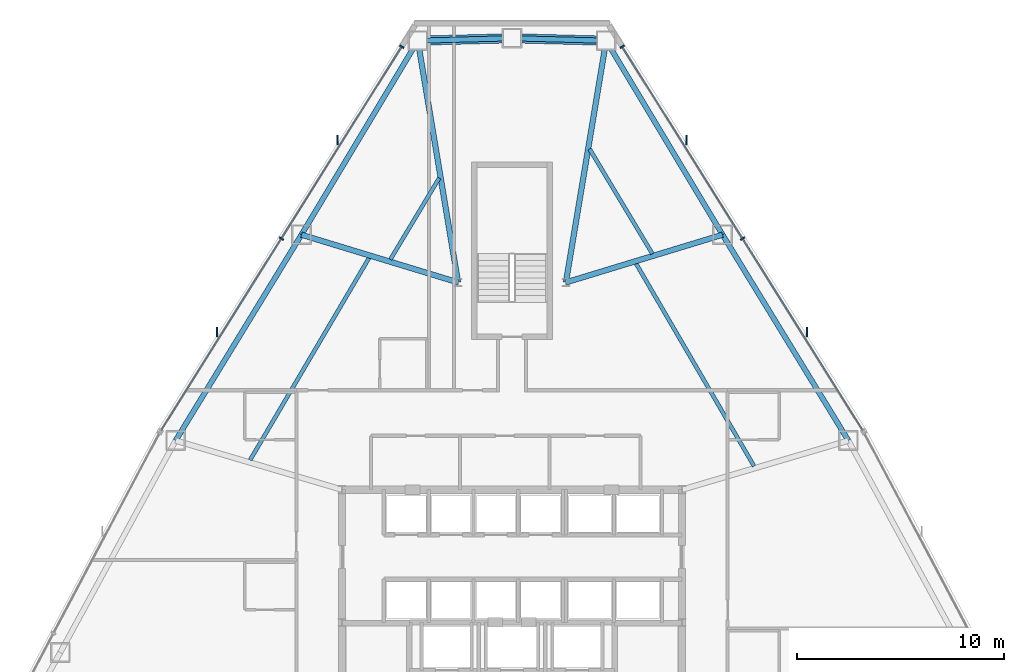
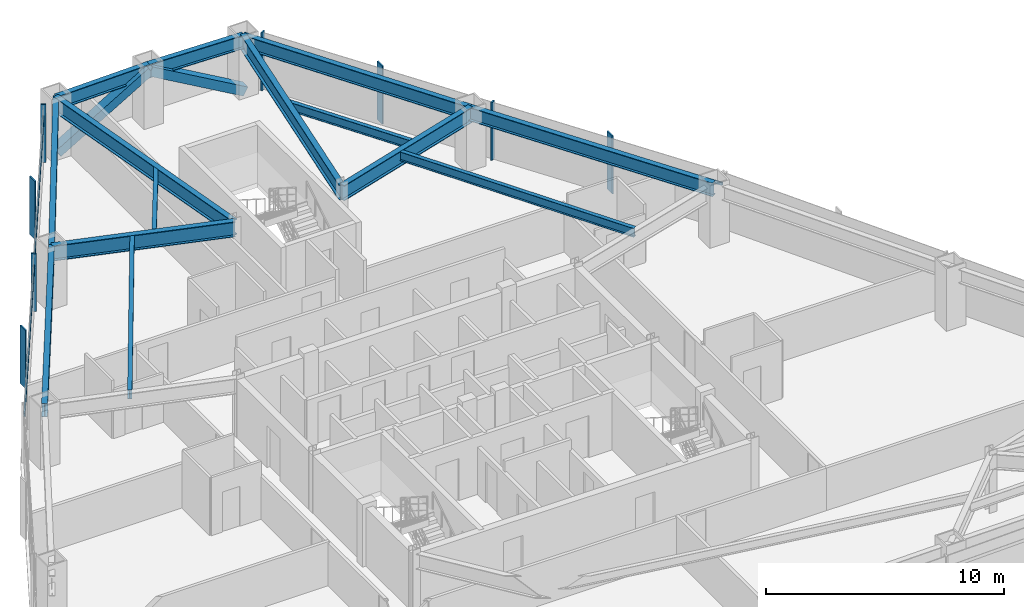
# One storey, part 7 of 13: 14 beams, 12 members, 2 elements without a shape of their own.
"""IFC4 building model written with IfcOpenShell, lengths in metres."""

from ifc_helpers import new_model, si_unit, direction, frame, origin, origin_2d, place, context, subcontext, project, spatial, rectangle, hollow_rectangle, i_section, extrude, source, transform, mapped, material, layer, layer_set, material_profile, profile_set, type_object, type_shapes, element, aggregate, save


model = new_model("IFC4")

# Units and contexts
model_context = context("Model", 3, precision=1e-05, world=origin(), true_north=direction((0.0, 1.0)))
body_context = subcontext(model_context, "Body", "Model", "MODEL_VIEW")
ifc_project = project(units=[si_unit("LENGTHUNIT", "METRE"), si_unit("AREAUNIT", "SQUARE_METRE"), si_unit("VOLUMEUNIT", "CUBIC_METRE"), si_unit("PLANEANGLEUNIT", "RADIAN"), si_unit("MASSUNIT", "GRAM", prefix="KILO")], contexts=[model_context])

# Site, building, storey
site_placement = place(None, origin())
site = spatial("IfcSite", under=ifc_project, at=site_placement, CompositionType="ELEMENT")
building_placement = place(site_placement, origin())
building = spatial("IfcBuilding", under=site, at=building_placement, Name="Varakhsha Concourse Tower", CompositionType="ELEMENT")
storey_placement = place(building_placement, frame((0.0, 0.0, 99.0)))
storey = spatial("IfcBuildingStorey", under=building, at=storey_placement, Name="L28", CompositionType="ELEMENT", Elevation=99.0)

# Beams
ifc_material_1 = material(Name="Structural Steel ASTM A992 Grade 50", Category="steel")
ifc_material_profile_1 = material_profile(ifc_material_1, i_section(OverallWidth=0.26611328125, OverallDepth=0.779052734375, WebThickness=0.01708984375, FlangeThickness=0.030029296875, at=origin_2d()), Name="W30X148")
ifc_profile_set_1 = profile_set([ifc_material_profile_1], Name="Structural Steel ASTM A992 Grade 50")
beam_type_1 = type_object("IfcBeamType", Name="BM-BASE-W30X148", PredefinedType="USERDEFINED", material=ifc_profile_set_1)
for number, where, z_axis, x_axis, name in (
    (1, (42.60009765625, 41.199951171875, 2.58056640625), (0.164241567319, 0.986420147586, 0.0), (-0.986420147586, 0.164241567319, 0.0), "L28 Radial Floor Girder 01"),
    (2, (37.39990234375, 41.199951171875, 2.58056640625), (-0.164241567319, 0.986420147586, 0.0), (-0.986420147586, -0.164241567319, 0.0), "L28 Radial Floor Girder 03"),
):
    element("IfcBeam", number, at=place(storey_placement, frame(where, z_axis=z_axis, x_axis=x_axis)), inside=storey, type_object=beam_type_1, Name=name, ObjectType="GIRDER", PredefinedType="USERDEFINED", context=body_context, shape_type="SweptSolid", body=[
        extrude(i_section(OverallWidth=0.26611328125, OverallDepth=0.779052734375, WebThickness=0.01708984375, FlangeThickness=0.030029296875, at=origin_2d()), origin(), (0.0, 0.0, 1.0), 11.8203125),
    ])
for number, where, z_axis, x_axis, name in (
    (3, (37.39990234375, 41.199951171875, 2.58056640625), (-0.956672757421, 0.291165305641, 0.0), (-0.291165305641, -0.956672757421, 0.0), "L28 Radial Floor Girder 04"),
    (4, (42.60009765625, 41.199951171875, 2.58056640625), (0.956672757421, 0.291165305641, 0.0), (-0.291165305641, 0.956672757421, 0.0), "L28 Radial Floor Girder 18"),
):
    element("IfcBeam", number, at=place(storey_placement, frame(where, z_axis=z_axis, x_axis=x_axis)), inside=storey, type_object=beam_type_1, Name=name, ObjectType="GIRDER", PredefinedType="USERDEFINED", context=body_context, shape_type="SweptSolid", body=[
        extrude(i_section(OverallWidth=0.26611328125, OverallDepth=0.779052734375, WebThickness=0.01708984375, FlangeThickness=0.030029296875, at=origin_2d()), origin(), (0.0, 0.0, 1.0), 7.898681640625),
    ])
ifc_material_profile_2 = material_profile(ifc_material_1, i_section(OverallWidth=0.19091796875, OverallDepth=0.45703125, WebThickness=0.009033203125, FlangeThickness=0.013916015625, at=origin_2d()), Name="W18X50")
ifc_profile_set_2 = profile_set([ifc_material_profile_2], Name="Structural Steel ASTM A992 Grade 50")
beam_type_2 = type_object("IfcBeamType", Name="BM-JST-W18X50", PredefinedType="JOIST", material=ifc_profile_set_2)
beam_1_placement = place(storey_placement, frame((36.489013671875, 46.236083984375, 2.741455078125), z_axis=(-0.514409574998, -0.857544628081, 0.0), x_axis=(0.857544628081, -0.514409574998, 0.0)))
element("IfcBeam", 5, at=beam_1_placement, inside=storey, type_object=beam_type_2, Name="BM-TJST-L28-03", PredefinedType="JOIST", context=body_context, shape_type="SweptSolid", body=[
    extrude(i_section(OverallWidth=0.19091796875, OverallDepth=0.45703125, WebThickness=0.009033203125, FlangeThickness=0.013916015625, at=origin_2d()), origin(), (0.0, 0.0, 1.0), 4.582763671875),
])
beam_2_placement = place(storey_placement, frame((33.112548828125, 42.39306640625, 2.741455078125), z_axis=(-0.507315554259, -0.861760365999, 0.0), x_axis=(0.861760365999, -0.507315554259, 0.0)))
element("IfcBeam", 6, at=beam_2_placement, inside=storey, type_object=beam_type_2, Name="BM-TJST-L28-04", PredefinedType="JOIST", context=body_context, shape_type="SweptSolid", body=[
    extrude(i_section(OverallWidth=0.19091796875, OverallDepth=0.45703125, WebThickness=0.009033203125, FlangeThickness=0.013916015625, at=origin_2d()), origin(), (0.0, 0.0, 1.0), 11.3388671875),
])
beam_3_placement = place(storey_placement, frame((51.677001953125, 32.33740234375, 2.741455078125), z_axis=(-0.503346513483, 0.864084652893, 0.0), x_axis=(-0.864084652893, -0.503346513483, 0.0)))
element("IfcBeam", 7, at=beam_3_placement, inside=storey, type_object=beam_type_2, Name="BM-TJST-L28-17", PredefinedType="JOIST", context=body_context, shape_type="SweptSolid", body=[
    extrude(i_section(OverallWidth=0.19091796875, OverallDepth=0.45703125, WebThickness=0.009033203125, FlangeThickness=0.013916015625, at=origin_2d()), origin(), (0.0, 0.0, 1.0), 11.31787109375),
])
beam_4_placement = place(storey_placement, frame((46.775146484375, 42.582275390625, 2.741455078125), z_axis=(-0.514428730328, 0.85753313721, 0.0), x_axis=(-0.85753313721, -0.514428730328, 0.0)))
element("IfcBeam", 8, at=beam_4_placement, inside=storey, type_object=beam_type_2, Name="BM-TJST-L28-18", PredefinedType="JOIST", context=body_context, shape_type="SweptSolid", body=[
    extrude(i_section(OverallWidth=0.19091796875, OverallDepth=0.45703125, WebThickness=0.009033203125, FlangeThickness=0.013916015625, at=origin_2d()), origin(), (0.0, 0.0, 1.0), 5.892578125),
])
ifc_material_profile_3 = material_profile(ifc_material_1, i_section(OverallWidth=0.25390625, OverallDepth=0.701904296875, WebThickness=0.014892578125, FlangeThickness=0.028076171875, at=origin_2d()), Name="W27X129")
ifc_profile_set_3 = profile_set([ifc_material_profile_3], Name="Structural Steel ASTM A992 Grade 50")
beam_type_3 = type_object("IfcBeamType", Name="BM-SPAN-W27X129", PredefinedType="SPANDREL", material=ifc_profile_set_3)
for number, where, z_axis, x_axis, name in (
    (9, (44.54150390625, 52.85986328125, 2.618896484375), (-0.999653249616, 0.026332119789, 0.0), (-0.026332119789, -0.999653249616, 0.0), "BM-SPAN-L28-01"),
    (10, (40.0, 52.9794921875, 2.618896484375), (-0.999653249616, -0.026332119789, 0.0), (0.026332119789, -0.999653249616, 0.0), "BM-SPAN-L28-02"),
):
    element("IfcBeam", number, at=place(storey_placement, frame(where, z_axis=z_axis, x_axis=x_axis)), inside=storey, type_object=beam_type_3, Name=name, PredefinedType="SPANDREL", context=body_context, shape_type="SweptSolid", body=[
        extrude(i_section(OverallWidth=0.25390625, OverallDepth=0.701904296875, WebThickness=0.014892578125, FlangeThickness=0.028076171875, at=origin_2d()), origin(), (0.0, 0.0, 1.0), 4.54296875),
    ])
beam_5_placement = place(storey_placement, frame((35.45849609375, 52.85986328125, 2.618896484375), z_axis=(-0.514423389103, -0.857536341355, 0.0), x_axis=(0.857536341355, -0.514423389103, 0.0)))
element("IfcBeam", 11, at=beam_5_placement, inside=storey, type_object=beam_type_3, Name="BM-SPAN-L28-03", PredefinedType="SPANDREL", context=body_context, shape_type="SweptSolid", body=[
    extrude(i_section(OverallWidth=0.25390625, OverallDepth=0.701904296875, WebThickness=0.014892578125, FlangeThickness=0.028076171875, at=origin_2d()), origin(), (0.0, 0.0, 1.0), 10.9150390625),
])
for number, where, z_axis, x_axis, name in (
    (12, (29.843505859375, 43.499755859375, 2.618896484375), (-0.521624773632, -0.853175008737, 0.0), (0.853175008737, -0.521624773632, 0.0), "BM-SPAN-L28-04"),
    (13, (56.22802734375, 33.569091796875, 2.618896484375), (-0.521624773632, 0.853175008737, 0.0), (-0.853175008737, -0.521624773632, 0.0), "BM-SPAN-L28-17"),
):
    element("IfcBeam", number, at=place(storey_placement, frame(where, z_axis=z_axis, x_axis=x_axis)), inside=storey, type_object=beam_type_3, Name=name, PredefinedType="SPANDREL", context=body_context, shape_type="SweptSolid", body=[
        extrude(i_section(OverallWidth=0.25390625, OverallDepth=0.701904296875, WebThickness=0.014892578125, FlangeThickness=0.028076171875, at=origin_2d()), origin(), (0.0, 0.0, 1.0), 11.6396484375),
    ])
beam_6_placement = place(storey_placement, frame((50.156494140625, 43.499755859375, 2.618896484375), z_axis=(-0.514423389103, 0.857536341355, 0.0), x_axis=(-0.857536341355, -0.514423389103, 0.0)))
element("IfcBeam", 14, at=beam_6_placement, inside=storey, type_object=beam_type_3, Name="BM-SPAN-L28-18", PredefinedType="SPANDREL", context=body_context, shape_type="SweptSolid", body=[
    extrude(i_section(OverallWidth=0.25390625, OverallDepth=0.701904296875, WebThickness=0.014892578125, FlangeThickness=0.028076171875, at=origin_2d()), origin(), (0.0, 0.0, 1.0), 10.9150390625),
])

# Members
ifc_material_2 = material(Name="Structural Steel ASTM A500 Grade C", Category="steel")
ifc_material_profile_4 = material_profile(ifc_material_2, hollow_rectangle(XDim=0.449951171875, YDim=0.449951171875, WallThickness=0.01904296875, at=origin_2d()), Name="HSS 450x450x19")
ifc_profile_set_4 = profile_set([ifc_material_profile_4], Name="Structural Steel ASTM A500 Grade C")
member_type_1 = type_object("IfcMemberType", Name="MB-TUBE-HSS450", PredefinedType="BRACE", material=ifc_profile_set_4)
shared_shape_1 = source(origin(), body_context, "Body", "SweptSolid", [
    extrude(hollow_rectangle(XDim=0.449951171875, YDim=0.449951171875, WallThickness=0.01904296875, at=origin_2d()), origin(), (0.0, 0.0, 1.0), 5.209716796875),
])
type_shapes(member_type_1, [shared_shape_1])
for number, where, z_axis, x_axis, name in (
    (15, (44.54150390625, 52.85986328125, 0.1201171875), (-0.871738420997, 0.022962682845, 0.489433182931), (-0.026332119789, -0.999653249616, 0.0), "L28 Wind-Corner Tube Brace B01"),
    (16, (35.45849609375, 52.85986328125, 0.1201171875), (0.871738420997, 0.022962682845, 0.489433182931), (-0.026332119789, 0.999653249616, 0.0), "L28 Wind-Corner Tube Brace B02"),
):
    element("IfcMember", number, at=place(storey_placement, frame(where, z_axis=z_axis, x_axis=x_axis)), inside=storey, type_object=member_type_1, Name=name, PredefinedType="BRACE", context=body_context, shape_type="MappedRepresentation", body=[
        mapped(shared_shape_1, transform((0.0, 0.0, 0.0), scale=1.0)),
    ])

# Curtain wall, members
ifc_material_3 = material(Name="Anodised Bronze Architectural Aluminium AA 6063-T6", Category="aluminium")
ifc_layer = layer(ifc_material_3, 0.199951171875, Name="CW-SYS-03")
ifc_layer_set = layer_set([ifc_layer], Name="Anodised Bronze Architectural Aluminium AA 6063-T6")
curtain_wall_type = type_object("IfcCurtainWallType", Name="CW-SYS-03", PredefinedType="NOTDEFINED", material=ifc_layer_set)
curtain_wall_1_placement = place(storey_placement, origin())
curtain_wall_1 = element("IfcCurtainWall", 17, at=curtain_wall_1_placement, inside=storey, type_object=curtain_wall_type, Name="L28 Crystal Curtain Wall F2", PredefinedType="NOTDEFINED")
ifc_material_profile_5 = material_profile(ifc_material_3, rectangle(XDim=0.074951171875, YDim=0.219970703125, at=origin_2d()), Name="CWM-220X75")
ifc_profile_set_5 = profile_set([ifc_material_profile_5], Name="Anodised Bronze Architectural Aluminium AA 6063-T6")
member_type_2 = type_object("IfcMemberType", Name="CWM-220X75", PredefinedType="MULLION", material=ifc_profile_set_5)
shared_shape_2 = source(origin(), body_context, "Body", "SweptSolid", [
    extrude(rectangle(XDim=0.074951171875, YDim=0.219970703125, at=origin_2d()), origin(), (0.0, 0.0, 1.0), 2.969970703125),
])
type_shapes(member_type_2, [shared_shape_2])
member_1_placement = place(storey_placement, frame((28.87744140625, 43.314697265625, 0.0), z_axis=(0.0, 0.0, 1.0), x_axis=(0.531209317405, 0.847240615824, 0.0)))
member_1 = element("IfcMember", 18, at=member_1_placement, type_object=member_type_2, Name="CW-L28-F2 Mullion 01", PredefinedType="MULLION", context=body_context, shape_type="MappedRepresentation", body=[
    mapped(shared_shape_2, transform((0.0, 0.0, 0.0), scale=1.0)),
])
member_2_placement = place(storey_placement, frame((34.681396484375, 52.5712890625, 0.0), z_axis=(0.0, 0.0, 1.0), x_axis=(0.531209317405, 0.847240615824, 0.0)))
member_2 = element("IfcMember", 19, at=member_2_placement, type_object=member_type_2, Name="CW-L28-F2 Mullion 02", PredefinedType="MULLION", context=body_context, shape_type="MappedRepresentation", body=[
    mapped(shared_shape_2, transform((0.0, 0.0, 0.0), scale=1.0)),
])

curtain_wall_2_placement = place(storey_placement, origin())
curtain_wall_2 = element("IfcCurtainWall", 20, at=curtain_wall_2_placement, inside=storey, type_object=curtain_wall_type, Name="L28 Crystal Curtain Wall F9", PredefinedType="NOTDEFINED")
member_3_placement = place(storey_placement, frame((45.318603515625, 52.5712890625, 0.0), z_axis=(0.0, 0.0, 1.0), x_axis=(0.531209317405, -0.847240615824, 0.0)))
member_3 = element("IfcMember", 21, at=member_3_placement, type_object=member_type_2, Name="CW-L28-F9 Mullion 00", PredefinedType="MULLION", context=body_context, shape_type="MappedRepresentation", body=[
    mapped(shared_shape_2, transform((0.0, 0.0, 0.0), scale=1.0)),
])
member_4_placement = place(storey_placement, frame((51.12255859375, 43.314697265625, 0.0), z_axis=(0.0, 0.0, 1.0), x_axis=(0.531209317405, -0.847240615824, 0.0)))
member_4 = element("IfcMember", 22, at=member_4_placement, type_object=member_type_2, Name="CW-L28-F9 Mullion 01", PredefinedType="MULLION", context=body_context, shape_type="MappedRepresentation", body=[
    mapped(shared_shape_2, transform((0.0, 0.0, 0.0), scale=1.0)),
])

# Member
ifc_material_profile_6 = material_profile(ifc_material_3, rectangle(XDim=0.06494140625, YDim=0.449951171875, at=origin_2d()), Name="FIN-BRZ-450")
ifc_profile_set_6 = profile_set([ifc_material_profile_6], Name="Anodised Bronze Architectural Aluminium AA 6063-T6")
member_type_3 = type_object("IfcMemberType", Name="FIN-BRZ-450", PredefinedType="USERDEFINED", material=ifc_profile_set_6)
shared_shape_3 = source(origin(), body_context, "Body", "SweptSolid", [
    extrude(rectangle(XDim=0.06494140625, YDim=0.449951171875, at=origin_2d()), origin(), (0.0, 0.0, 1.0), 2.969970703125),
])
type_shapes(member_type_3, [shared_shape_3])
member_5_placement = place(storey_placement, frame((25.772216796875, 38.813720703125, 0.0), z_axis=(0.0, 0.0, 1.0), x_axis=(1.0, 0.0, 0.0)))
member_5 = element("IfcMember", 23, at=member_5_placement, type_object=member_type_3, Name="L28 Anodised Bronze Solar Fin F2-1", ObjectType="SOLAR FIN", PredefinedType="USERDEFINED", context=body_context, shape_type="MappedRepresentation", body=[
    mapped(shared_shape_3, transform((0.0, 0.0, 0.0), scale=1.0)),
])

member_6_placement = place(storey_placement, frame((31.576171875, 48.070556640625, 0.0), z_axis=(0.0, 0.0, 1.0), x_axis=(1.0, 0.0, 0.0)))
member_6 = element("IfcMember", 24, at=member_6_placement, type_object=member_type_3, Name="L28 Anodised Bronze Solar Fin F2-2", ObjectType="SOLAR FIN", PredefinedType="USERDEFINED", context=body_context, shape_type="MappedRepresentation", body=[
    mapped(shared_shape_3, transform((0.0, 0.0, 0.0), scale=1.0)),
])

member_7_placement = place(storey_placement, frame((48.423828125, 48.070556640625, 0.0), z_axis=(0.0, 0.0, 1.0), x_axis=(1.0, 0.0, 0.0)))
member_7 = element("IfcMember", 25, at=member_7_placement, type_object=member_type_3, Name="L28 Anodised Bronze Solar Fin F9-1", ObjectType="SOLAR FIN", PredefinedType="USERDEFINED", context=body_context, shape_type="MappedRepresentation", body=[
    mapped(shared_shape_3, transform((0.0, 0.0, 0.0), scale=1.0)),
])

member_8_placement = place(storey_placement, frame((54.227783203125, 38.813720703125, 0.0), z_axis=(0.0, 0.0, 1.0), x_axis=(1.0, 0.0, 0.0)))
member_8 = element("IfcMember", 26, at=member_8_placement, type_object=member_type_3, Name="L28 Anodised Bronze Solar Fin F9-2", ObjectType="SOLAR FIN", PredefinedType="USERDEFINED", context=body_context, shape_type="MappedRepresentation", body=[
    mapped(shared_shape_3, transform((0.0, 0.0, 0.0), scale=1.0)),
])

ifc_material_profile_7 = material_profile(ifc_material_3, rectangle(XDim=0.06494140625, YDim=0.159912109375, at=origin_2d()), Name="CWT-160X65")
ifc_profile_set_7 = profile_set([ifc_material_profile_7], Name="Anodised Bronze Architectural Aluminium AA 6063-T6")
member_type_4 = type_object("IfcMemberType", Name="CWT-160X65", PredefinedType="USERDEFINED", material=ifc_profile_set_7)
shared_shape_4 = source(origin(), body_context, "Body", "SweptSolid", [
    extrude(rectangle(XDim=0.06494140625, YDim=0.159912109375, at=origin_2d()), origin(), (0.0, 0.0, 1.0), 21.851318359375),
])
type_shapes(member_type_4, [shared_shape_4])
member_9_placement = place(storey_placement, frame((23.07373046875, 34.05810546875, 2.320068359375), z_axis=(0.531213601192, 0.847237929928, 0.0), x_axis=(-0.847237929928, 0.531213601192, 0.0)))
member_9 = element("IfcMember", 27, at=member_9_placement, type_object=member_type_4, Name="CW-L28-F2 Transom 01", ObjectType="TRANSOM", PredefinedType="USERDEFINED", context=body_context, shape_type="MappedRepresentation", body=[
    mapped(shared_shape_4, transform((0.0, 0.0, 0.0), scale=1.0)),
])

aggregate(curtain_wall_1, [member_1, member_2, member_9, member_5, member_6])

member_10_placement = place(storey_placement, frame((45.318603515625, 52.5712890625, 2.320068359375), z_axis=(0.531213601192, -0.847237929928, 0.0), x_axis=(0.847237929928, 0.531213601192, 0.0)))
member_10 = element("IfcMember", 28, at=member_10_placement, type_object=member_type_4, Name="CW-L28-F9 Transom 01", ObjectType="TRANSOM", PredefinedType="USERDEFINED", context=body_context, shape_type="MappedRepresentation", body=[
    mapped(shared_shape_4, transform((0.0, 0.0, 0.0), scale=1.0)),
])

aggregate(curtain_wall_2, [member_3, member_4, member_10, member_7, member_8])

save(model, "model.ifc")
